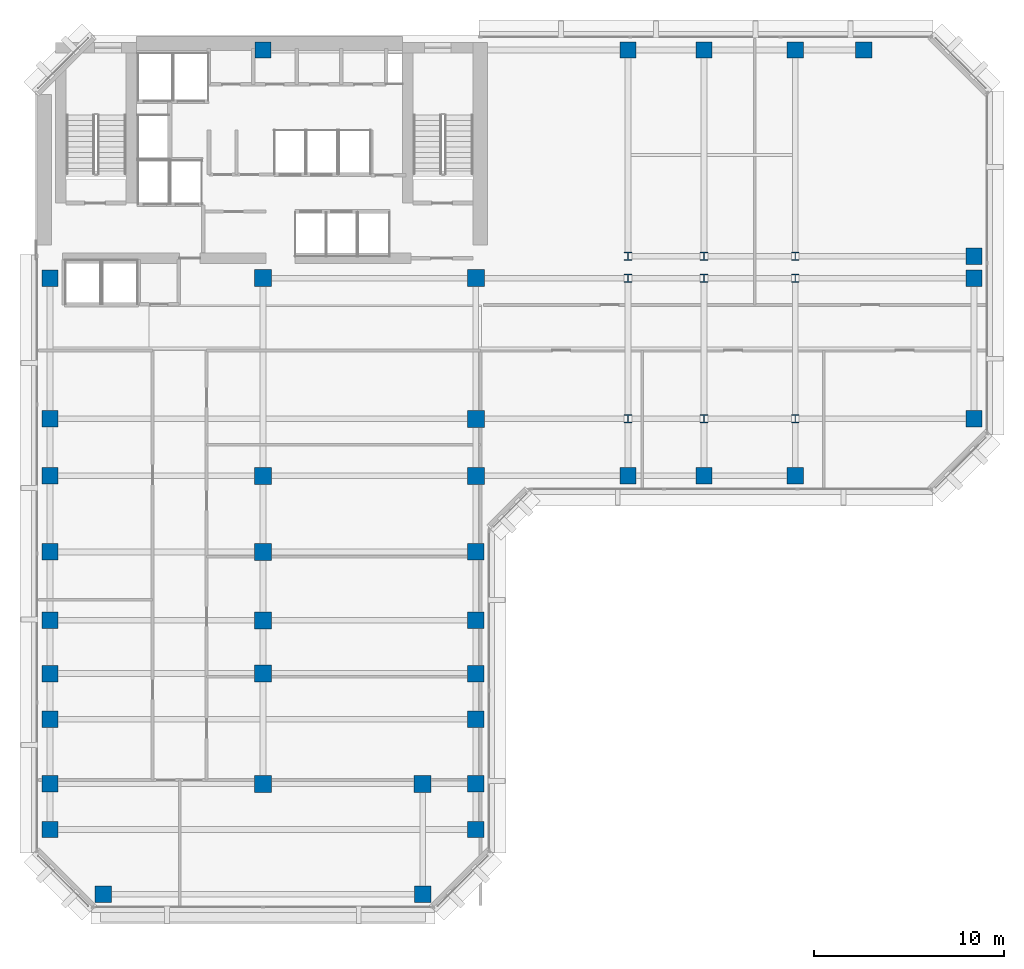
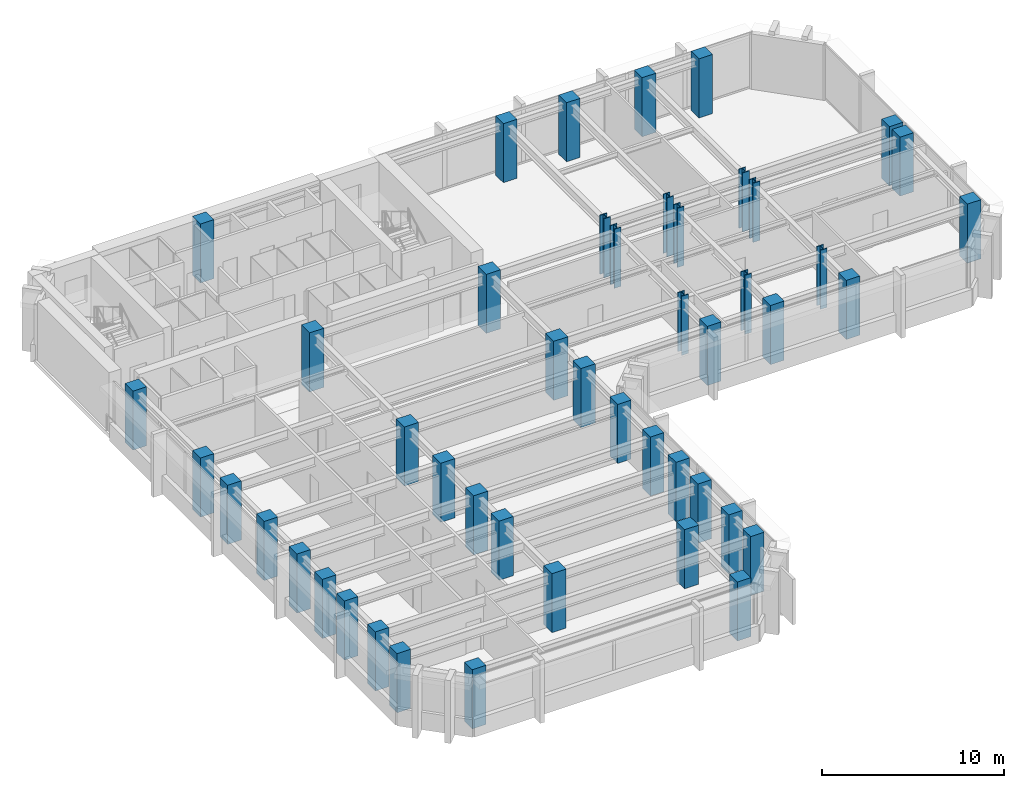
# One storey, part 1 of 11: 47 columns.
"""IFC4 building model written with IfcOpenShell, lengths in metres."""

from ifc_helpers import new_model, si_unit, direction, frame, origin, origin_2d, place, context, subcontext, project, spatial, rectangle, i_section, extrude, material, material_profile, profile_set, type_object, element, save


model = new_model("IFC4")

# Units and contexts
model_context = context("Model", 3, precision=1e-05, world=origin(), true_north=direction((0.0, 1.0)))
body_context = subcontext(model_context, "Body", "Model", "MODEL_VIEW")
ifc_project = project(units=[si_unit("LENGTHUNIT", "METRE"), si_unit("AREAUNIT", "SQUARE_METRE"), si_unit("VOLUMEUNIT", "CUBIC_METRE"), si_unit("PLANEANGLEUNIT", "RADIAN"), si_unit("MASSUNIT", "GRAM", prefix="KILO")], contexts=[model_context])

# Site, building, storey
site_placement = place(None, origin())
site = spatial("IfcSite", under=ifc_project, at=site_placement, CompositionType="ELEMENT")
building_placement = place(site_placement, origin())
building = spatial("IfcBuilding", under=site, at=building_placement, Name="Kefirva Bronze Tower", CompositionType="ELEMENT")
storey_placement = place(building_placement, frame((0.0, 0.0, 150.81005859375)))
storey = spatial("IfcBuildingStorey", under=building, at=storey_placement, Name="L36", CompositionType="ELEMENT", Elevation=150.81005859375)

# Columns
ifc_material_1 = material(Name="Concrete C60/75", Category="concrete")
ifc_material_profile_1 = material_profile(ifc_material_1, rectangle(XDim=0.860107421875, YDim=0.860107421875, at=origin_2d()), Name="RC 860x860")
ifc_profile_set_1 = profile_set([ifc_material_profile_1], Name="Concrete C60/75")
column_type_1 = type_object("IfcColumnType", Name="RC Column 860x860 Ext", PredefinedType="COLUMN", material=ifc_profile_set_1)
for number, where, z_axis, x_axis, name in (
    (1, (0.800048828125, 4.199951171875, 0.0), (0.0, 0.0, 1.0), (1.0, 0.0, 0.0), "L36 Column C008_042"),
    (2, (0.800048828125, 6.60009765625, 0.0), (0.0, 0.0, 1.0), (1.0, 0.0, 0.0), "L36 Column C008_066"),
    (3, (0.800048828125, 10.0, 0.0), (0.0, 0.0, 1.0), (1.0, 0.0, 0.0), "L36 Column C008_100"),
    (4, (0.800048828125, 12.39990234375, 0.0), (0.0, 0.0, 1.0), (1.0, 0.0, 0.0), "L36 Column C008_124"),
    (5, (0.800048828125, 15.199951171875, 0.0), (0.0, 0.0, 1.0), (1.0, 0.0, 0.0), "L36 Column C008_152"),
    (6, (0.800048828125, 18.800048828125, 0.0), (0.0, 0.0, 1.0), (1.0, 0.0, 0.0), "L36 Column C008_188"),
    (7, (0.800048828125, 22.800048828125, 0.0), (0.0, 0.0, 1.0), (1.0, 0.0, 0.0), "L36 Column C008_228"),
    (8, (0.800048828125, 25.800048828125, 0.0), (0.0, 0.0, 1.0), (1.0, 0.0, 0.0), "L36 Column C008_258"),
    (9, (0.800048828125, 33.199951171875, 0.0), (0.0, 0.0, 1.0), (1.0, 0.0, 0.0), "L36 Column C008_332"),
    (10, (3.60009765625, 0.800048828125, 0.0), (0.0, 0.0, 1.0), (1.0, 0.0, 0.0), "L36 Column C036_008"),
    (11, (12.0, 45.199951171875, 0.0), (0.0, 0.0, 1.0), (1.0, 0.0, 0.0), "L36 Column C120_452"),
    (12, (20.39990234375, 0.800048828125, 0.0), (0.0, 0.0, 1.0), (1.0, 0.0, 0.0), "L36 Column C204_008"),
    (13, (23.199951171875, 4.199951171875, 0.0), (0.0, 0.0, 1.0), (1.0, 0.0, 0.0), "L36 Column C232_042"),
    (14, (23.199951171875, 6.60009765625, 0.0), (0.0, 0.0, 1.0), (1.0, 0.0, 0.0), "L36 Column C232_066"),
    (15, (23.199951171875, 10.0, 0.0), (0.0, 0.0, 1.0), (1.0, 0.0, 0.0), "L36 Column C232_100"),
    (16, (23.199951171875, 12.39990234375, 0.0), (0.0, 0.0, 1.0), (1.0, 0.0, 0.0), "L36 Column C232_124"),
    (17, (23.199951171875, 15.199951171875, 0.0), (0.0, 0.0, 1.0), (1.0, 0.0, 0.0), "L36 Column C232_152"),
    (18, (23.199951171875, 18.800048828125, 0.0), (0.0, 0.0, 1.0), (1.0, 0.0, 0.0), "L36 Column C232_188"),
    (19, (31.199951171875, 22.800048828125, 0.0), (0.0, 0.0, 1.0), (1.0, 0.0, 0.0), "L36 Column C312_228"),
    (20, (31.199951171875, 45.199951171875, 0.0), (0.0, 0.0, 1.0), (1.0, 0.0, 0.0), "L36 Column C312_452"),
    (21, (35.199951171875, 22.800048828125, 0.0), (0.0, 0.0, 1.0), (1.0, 0.0, 0.0), "L36 Column C352_228"),
    (22, (35.199951171875, 45.199951171875, 0.0), (0.0, 0.0, 1.0), (1.0, 0.0, 0.0), "L36 Column C352_452"),
    (23, (40.0, 22.800048828125, 0.0), (0.0, 0.0, 1.0), (1.0, 0.0, 0.0), "L36 Column C400_228"),
    (24, (40.0, 45.199951171875, 0.0), (0.0, 0.0, 1.0), (1.0, 0.0, 0.0), "L36 Column C400_452"),
    (25, (43.60009765625, 45.199951171875, 0.0), (0.0, 0.0, 1.0), (1.0, 0.0, 0.0), "L36 Column C436_452"),
    (26, (49.39990234375, 25.800048828125, 0.0), (0.0, 0.0, 1.0), (1.0, 0.0, 0.0), "L36 Column C494_258"),
    (27, (49.39990234375, 33.199951171875, 0.0), (0.0, 0.0, 1.0), (1.0, 0.0, 0.0), "L36 Column C494_332"),
    (28, (49.39990234375, 34.35009765625, 0.0), (0.0, 0.0, 1.0), (1.0, 0.0, 0.0), "L36 Column C494_344"),
):
    element("IfcColumn", number, at=place(storey_placement, frame(where, z_axis=z_axis, x_axis=x_axis)), inside=storey, type_object=column_type_1, Name=name, PredefinedType="COLUMN", context=body_context, shape_type="SweptSolid", body=[
        extrude(rectangle(XDim=0.860107421875, YDim=0.860107421875, at=origin_2d()), origin(), (0.0, 0.0, 1.0), 3.9599609375),
    ])
ifc_material_profile_2 = material_profile(ifc_material_1, rectangle(XDim=0.89990234375, YDim=0.89990234375, at=origin_2d()), Name="RC 900x900")
ifc_profile_set_2 = profile_set([ifc_material_profile_2], Name="Concrete C60/75")
column_type_2 = type_object("IfcColumnType", Name="RC Column 900x900 Int", PredefinedType="COLUMN", material=ifc_profile_set_2)
for number, where, z_axis, x_axis, name in (
    (29, (12.0, 6.60009765625, 0.0), (0.0, 0.0, 1.0), (1.0, 0.0, 0.0), "L36 Column C120_066"),
    (30, (12.0, 12.39990234375, 0.0), (0.0, 0.0, 1.0), (1.0, 0.0, 0.0), "L36 Column C120_124"),
    (31, (12.0, 15.199951171875, 0.0), (0.0, 0.0, 1.0), (1.0, 0.0, 0.0), "L36 Column C120_152"),
    (32, (12.0, 18.800048828125, 0.0), (0.0, 0.0, 1.0), (1.0, 0.0, 0.0), "L36 Column C120_188"),
    (33, (12.0, 22.800048828125, 0.0), (0.0, 0.0, 1.0), (1.0, 0.0, 0.0), "L36 Column C120_228"),
    (34, (12.0, 33.199951171875, 0.0), (0.0, 0.0, 1.0), (1.0, 0.0, 0.0), "L36 Column C120_332"),
    (35, (20.39990234375, 6.60009765625, 0.0), (0.0, 0.0, 1.0), (1.0, 0.0, 0.0), "L36 Column C204_066"),
    (36, (23.199951171875, 22.800048828125, 0.0), (0.0, 0.0, 1.0), (1.0, 0.0, 0.0), "L36 Column C232_228"),
    (37, (23.199951171875, 25.800048828125, 0.0), (0.0, 0.0, 1.0), (1.0, 0.0, 0.0), "L36 Column C232_258"),
    (38, (23.199951171875, 33.199951171875, 0.0), (0.0, 0.0, 1.0), (1.0, 0.0, 0.0), "L36 Column C232_332"),
):
    element("IfcColumn", number, at=place(storey_placement, frame(where, z_axis=z_axis, x_axis=x_axis)), inside=storey, type_object=column_type_2, Name=name, PredefinedType="COLUMN", context=body_context, shape_type="SweptSolid", body=[
        extrude(rectangle(XDim=0.89990234375, YDim=0.89990234375, at=origin_2d()), origin(), (0.0, 0.0, 1.0), 3.9599609375),
    ])
ifc_material_2 = material(Name="Steel S460", Category="steel")
ifc_material_profile_3 = material_profile(ifc_material_2, i_section(OverallWidth=0.41796875, OverallDepth=0.455078125, WebThickness=0.031982421875, FlangeThickness=0.051025390625, at=origin_2d()), Name="HD 400x551")
ifc_profile_set_3 = profile_set([ifc_material_profile_3], Name="Steel S460")
column_type_3 = type_object("IfcColumnType", Name="Steel Column HD 400x551", PredefinedType="COLUMN", material=ifc_profile_set_3)
for number, where, z_axis, x_axis, name in (
    (39, (31.199951171875, 25.800048828125, 0.0), (0.0, 0.0, 1.0), (1.0, 0.0, 0.0), "L36 Column C312_258"),
    (40, (31.199951171875, 33.199951171875, 0.0), (0.0, 0.0, 1.0), (1.0, 0.0, 0.0), "L36 Column C312_332"),
    (41, (31.199951171875, 34.35009765625, 0.0), (0.0, 0.0, 1.0), (1.0, 0.0, 0.0), "L36 Column C312_344"),
    (42, (35.199951171875, 25.800048828125, 0.0), (0.0, 0.0, 1.0), (1.0, 0.0, 0.0), "L36 Column C352_258"),
    (43, (35.199951171875, 33.199951171875, 0.0), (0.0, 0.0, 1.0), (1.0, 0.0, 0.0), "L36 Column C352_332"),
    (44, (35.199951171875, 34.35009765625, 0.0), (0.0, 0.0, 1.0), (1.0, 0.0, 0.0), "L36 Column C352_344"),
    (45, (40.0, 25.800048828125, 0.0), (0.0, 0.0, 1.0), (1.0, 0.0, 0.0), "L36 Column C400_258"),
    (46, (40.0, 33.199951171875, 0.0), (0.0, 0.0, 1.0), (1.0, 0.0, 0.0), "L36 Column C400_332"),
    (47, (40.0, 34.35009765625, 0.0), (0.0, 0.0, 1.0), (1.0, 0.0, 0.0), "L36 Column C400_344"),
):
    element("IfcColumn", number, at=place(storey_placement, frame(where, z_axis=z_axis, x_axis=x_axis)), inside=storey, type_object=column_type_3, Name=name, PredefinedType="COLUMN", context=body_context, shape_type="SweptSolid", body=[
        extrude(i_section(OverallWidth=0.41796875, OverallDepth=0.455078125, WebThickness=0.031982421875, FlangeThickness=0.051025390625, at=origin_2d()), origin(), (0.0, 0.0, 1.0), 3.9599609375),
    ])

save(model, "model.ifc")
